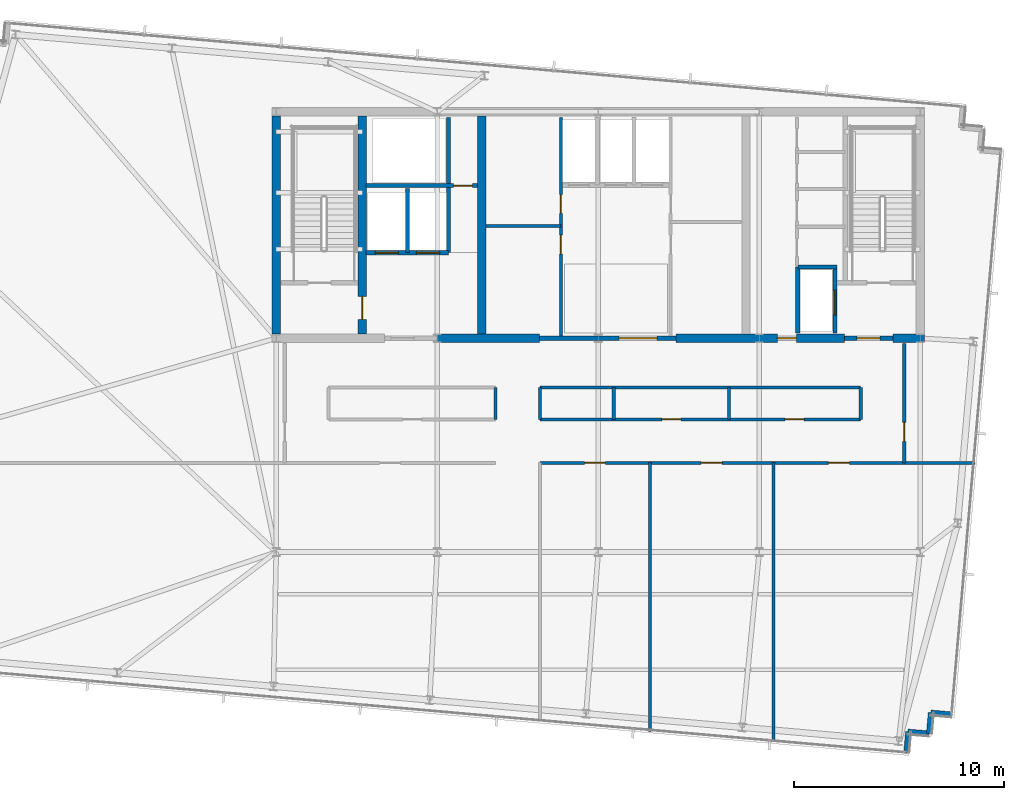
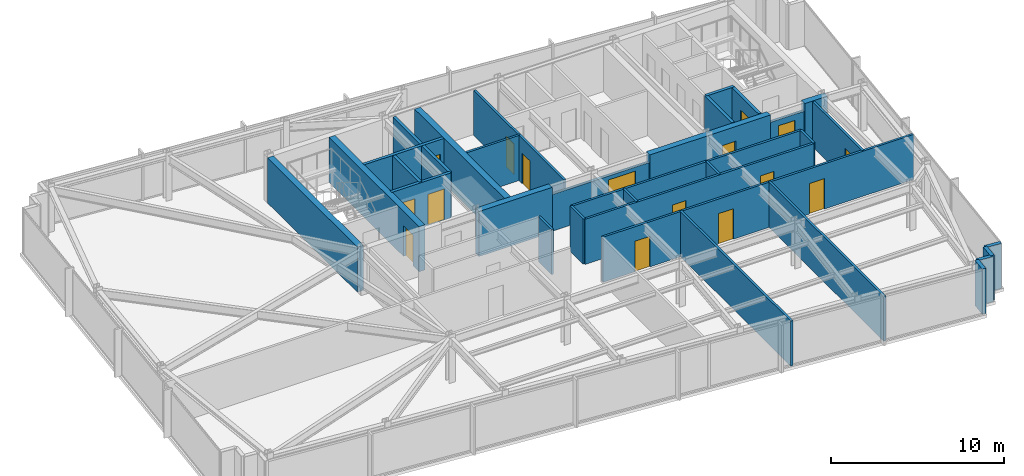
# One storey, part 27 of 32: 32 walls, 16 doors, 16 openings.
"""IFC4 building model written with IfcOpenShell, lengths in metres."""

import ifcopenshell
import ifcopenshell.guid

model = None  # the IFC model being written
_history = None  # IfcOwnerHistory: only IFC2X3 demands one
_inside = {}  # id of a spatial element -> (the spatial element, [elements in it])
_under = {}  # id of a project, library or spatial element -> (it, [spatial elements below it])
_declared = {}  # id of a project -> (the project, [libraries it declares])
_typed = {}  # id of a type object -> (the type object, [elements of that type])
_made_of = {}  # id of a material, layer set ... -> (it, [elements and type objects made of it])


def new_model(schema):
    """Start an empty IFC model of exactly this schema.

    Asked for "IFC4X3", IfcOpenShell would pick the latest addendum, in which some entities
    have other attributes; the version numbers below select the first issue.
    IFC2X3 requires an IfcOwnerHistory on every rooted entity: one is made here for all.
    """
    global model, _history
    if schema == "IFC4X3":
        model = ifcopenshell.file(schema_version=(4, 3, 0, 0))
    else:
        model = ifcopenshell.file(schema=schema)
    _inside.clear()
    _under.clear()
    _declared.clear()
    _typed.clear()
    _made_of.clear()
    _history = None
    if model.schema == "IFC2X3":
        org = make("IfcOrganization", Name="unknown")
        user = make(
            "IfcPersonAndOrganization",
            ThePerson=make("IfcPerson", FamilyName="unknown"),
            TheOrganization=org,
        )
        app = make(
            "IfcApplication",
            ApplicationDeveloper=org,
            Version="unknown",
            ApplicationFullName="unknown",
            ApplicationIdentifier="unknown",
        )
        _history = make(
            "IfcOwnerHistory",
            OwningUser=user,
            OwningApplication=app,
            ChangeAction="ADDED",
            CreationDate=0,
        )
    return model


def make(cls, **values):
    """One entity of the class cls with the attributes given. An attribute that is None is left unset."""
    return model.create_entity(
        cls, **{name: value for name, value in values.items() if value is not None}
    )


def rooted(cls, **values):
    """An entity with a GlobalId (a new one), such as an element, a storey or a relation."""
    return make(cls, GlobalId=ifcopenshell.guid.new(), OwnerHistory=_history, **values)


def si_unit(unit_type, name, prefix=None):
    """IfcSIUnit, for example si_unit("LENGTHUNIT", "METRE", prefix="MILLI")."""
    return make("IfcSIUnit", UnitType=unit_type, Prefix=prefix, Name=name)


def assignment(units):
    """IfcUnitAssignment: the units of a project."""
    return None if units is None else make("IfcUnitAssignment", Units=units)


def point(xyz):
    """IfcCartesianPoint."""
    return None if xyz is None else make("IfcCartesianPoint", Coordinates=xyz)


def direction(xyz):
    """IfcDirection."""
    return None if xyz is None else make("IfcDirection", DirectionRatios=xyz)


def frame(location, z_axis=None, x_axis=None):
    """IfcAxis2Placement3D, a coordinate frame: its origin and axes. An axis left out is left unset."""
    return make(
        "IfcAxis2Placement3D",
        Location=point(location),
        Axis=direction(z_axis),
        RefDirection=direction(x_axis),
    )


def frame_2d(location, x_axis=None):
    """IfcAxis2Placement2D, a coordinate frame in the plane: its origin and x axis."""
    return make(
        "IfcAxis2Placement2D", Location=point(location), RefDirection=direction(x_axis)
    )


def origin():
    """The frame at (0, 0, 0) with its axes left unset."""
    return frame((0.0, 0.0, 0.0))


def place(relative_to, where):
    """IfcLocalPlacement: puts the frame where relative to a parent placement (None: the world)."""
    return make(
        "IfcLocalPlacement", PlacementRelTo=relative_to, RelativePlacement=where
    )


def context(
    kind, dimensions, precision=None, world=None, true_north=None, identifier=None
):
    """IfcGeometricRepresentationContext, for example the 3D "Model" context."""
    return make(
        "IfcGeometricRepresentationContext",
        ContextIdentifier=identifier,
        ContextType=kind,
        CoordinateSpaceDimension=dimensions,
        Precision=precision,
        WorldCoordinateSystem=world,
        TrueNorth=true_north,
    )


def subcontext(parent, identifier, kind, view, scale=None):
    """IfcGeometricRepresentationSubContext, for example "Body" below "Model"."""
    return make(
        "IfcGeometricRepresentationSubContext",
        ContextIdentifier=identifier,
        ContextType=kind,
        ParentContext=parent,
        TargetScale=scale,
        TargetView=view,
    )


def project(units=None, contexts=None):
    """IfcProject with its units and contexts."""
    return rooted(
        "IfcProject",
        Name="project",
        RepresentationContexts=contexts,
        UnitsInContext=assignment(units),
    )


def spatial(cls, under=None, at=None, **own):
    """A site, building, storey or space (cls), placed at a placement, below another one or the project."""
    s = rooted(cls, ObjectPlacement=at, **own)
    if under is not None:
        _under.setdefault(under.id(), (under, []))[1].append(s)
    return s


def profile(cls, at=None, kind="AREA", **sizes):
    """A parametric profile (cls). Its sizes go by their IFC names, for example OverallWidth=200.0."""
    return make(cls, ProfileType=kind, Position=at, **sizes)


def rectangle(**sizes):
    """IfcRectangleProfileDef."""
    return profile("IfcRectangleProfileDef", **sizes)


def extrude(swept, where, along, depth):
    """IfcExtrudedAreaSolid: the profile swept, set in the frame where, extruded along a direction by depth."""
    return make(
        "IfcExtrudedAreaSolid",
        SweptArea=swept,
        Position=where,
        ExtrudedDirection=direction(along),
        Depth=depth,
    )


def shape(context_of_items, identifier, shape_type, items):
    """IfcShapeRepresentation: the items that make up one representation, for example the "Body"."""
    return make(
        "IfcShapeRepresentation",
        ContextOfItems=context_of_items,
        RepresentationIdentifier=identifier,
        RepresentationType=shape_type,
        Items=items,
    )


def material(Name=None, Category=None):
    """IfcMaterial."""
    return make("IfcMaterial", Name=Name, Category=Category)


def layer(
    of_material, thickness, ventilated=None, Name=None, Category=None, Priority=None
):
    """IfcMaterialLayer: one layer of a wall or slab, of a material (None: an air gap)."""
    return make(
        "IfcMaterialLayer",
        Material=of_material,
        LayerThickness=thickness,
        IsVentilated=ventilated,
        Name=Name,
        Category=Category,
        Priority=Priority,
    )


def layer_set(layers, Name=None):
    """IfcMaterialLayerSet."""
    return make("IfcMaterialLayerSet", MaterialLayers=layers, LayerSetName=Name)


def made_of(thing, what):
    """Note that an element or type object is made of a material, layer set ...; save() writes the relation."""
    if what is not None:
        _made_of.setdefault(what.id(), (what, []))[1].append(thing)
    return thing


def type_object(cls, material=None, **own):
    """A type object (cls), such as IfcWallType, which elements share."""
    return made_of(rooted(cls, **own), material)


def element(
    cls,
    number,
    at=None,
    inside=None,
    cuts=None,
    type_object=None,
    material=None,
    context=None,
    identifier="Body",
    shape_type=None,
    held_by="IfcProductDefinitionShape",
    body=None,
    shapes=None,
    **own,
):
    """One element of the class cls, such as IfcWall. Its Tag is "e" and its number.

    at: its placement. inside: the storey or other place that contains it. cuts: it is an
    opening in that element (IfcRelVoidsElement). A single representation is given by context,
    identifier, shape_type and body (its items); several are given by shapes. held_by: the class
    of the entity that holds the representations. save() writes the other relations.
    """
    e = rooted(cls, Tag="e%d" % number, ObjectPlacement=at, **own)
    if body is not None:
        shapes = [shape(context, identifier, shape_type, body)]
    if shapes is not None:
        e.Representation = make(held_by, Representations=shapes)
    if inside is not None:
        _inside.setdefault(inside.id(), (inside, []))[1].append(e)
    if cuts is not None:
        rooted(
            "IfcRelVoidsElement", RelatingBuildingElement=cuts, RelatedOpeningElement=e
        )
    if type_object is not None:
        _typed.setdefault(type_object.id(), (type_object, []))[1].append(e)
    return made_of(e, material)


def fill(opening, filler):
    """IfcRelFillsElement: the door or window that sits in an opening."""
    return rooted(
        "IfcRelFillsElement",
        RelatingOpeningElement=opening,
        RelatedBuildingElement=filler,
    )


def aggregate(whole, parts):
    """IfcRelAggregates: a whole, such as a stair, and the parts it consists of."""
    return rooted("IfcRelAggregates", RelatingObject=whole, RelatedObjects=parts)


def save(model, path):
    """Write the relations noted so far, then the file.

    IfcRelAggregates (storeys below a building ...), IfcRelContainedInSpatialStructure (elements
    in a storey), IfcRelDefinesByType, IfcRelAssociatesMaterial and IfcRelDeclares: one each for
    every whole, place, type object, material and project.
    """
    for whole, parts in _under.values():
        aggregate(whole, parts)
    for where, things in _inside.values():
        rooted(
            "IfcRelContainedInSpatialStructure",
            RelatedElements=things,
            RelatingStructure=where,
        )
    for kind, things in _typed.values():
        rooted("IfcRelDefinesByType", RelatedObjects=things, RelatingType=kind)
    for what, things in _made_of.values():
        rooted("IfcRelAssociatesMaterial", RelatedObjects=things, RelatingMaterial=what)
    for by, libraries in _declared.values():
        rooted("IfcRelDeclares", RelatingContext=by, RelatedDefinitions=libraries)
    model.write(path)


model = new_model("IFC4")

# Units and contexts
model_context = context("Model", 3, precision=1e-05, world=origin(), true_north=direction((0.0, 1.0)))
body_context = subcontext(model_context, "Body", "Model", "MODEL_VIEW")
ifc_project = project(units=[si_unit("LENGTHUNIT", "METRE"), si_unit("AREAUNIT", "SQUARE_METRE"), si_unit("VOLUMEUNIT", "CUBIC_METRE"), si_unit("PLANEANGLEUNIT", "RADIAN"), si_unit("MASSUNIT", "GRAM", prefix="KILO")], contexts=[model_context])

# Site, building, storey
site_placement = place(None, origin())
site = spatial("IfcSite", under=ifc_project, at=site_placement, CompositionType="ELEMENT")
building_placement = place(site_placement, origin())
building = spatial("IfcBuilding", under=site, at=building_placement, Name="Yelkora Congress Tower", CompositionType="ELEMENT")
storey_placement = place(building_placement, frame((0.0, 0.0, 293.10009765625)))
storey = spatial("IfcBuildingStorey", under=building, at=storey_placement, Name="L82", CompositionType="ELEMENT", Elevation=293.10009765625)

# Wall
ifc_material_1 = material(Name="Concrete C50/60", Category="concrete")
ifc_layer_1 = layer(ifc_material_1, 0.39990234375)
ifc_layer_set_1 = layer_set([ifc_layer_1], Name="Concrete C50/60")
wall_type_1 = type_object("IfcWallType", Name="WALL-CORE-INT-400", PredefinedType="SHEAR", material=ifc_layer_set_1)
wall_1_placement = place(storey_placement, frame((30.719970703125, 35.39990234375, 0.0), z_axis=(0.0, 0.0, 1.0), x_axis=(1.0, 0.0, 0.0)))
element("IfcWall", 1, at=wall_1_placement, inside=storey, type_object=wall_type_1, Name="L82 Rear Core South-Center Shear Pier", PredefinedType="SHEAR", context=body_context, shape_type="SweptSolid", body=[
    extrude(rectangle(XDim=4.880126953125, YDim=0.39990234375, at=frame_2d((2.43994140625, 0.0))), origin(), (0.0, 0.0, 1.0), 3.179931640625),
])

# Wall, opening, door
wall_2_placement = place(storey_placement, frame((42.10009765625, 35.39990234375, 0.0), z_axis=(0.0, 0.0, 1.0), x_axis=(1.0, 0.0, 0.0)))
wall_2 = element("IfcWall", 2, at=wall_2_placement, inside=storey, type_object=wall_type_1, Name="L82 Rear Core South-East Shear Wall A", PredefinedType="SHEAR", context=body_context, shape_type="SweptSolid", body=[
    extrude(rectangle(XDim=8.0498046875, YDim=0.39990234375, at=frame_2d((4.02490234375, 0.0))), origin(), (0.0, 0.0, 1.0), 3.179931640625),
])
opening_1_placement = place(wall_2_placement, frame((4.85009765625, 0.0, 0.0)))
opening_1 = element("IfcOpeningElement", 3, at=opening_1_placement, cuts=wall_2, Name="Opening DR-090F6", PredefinedType="OPENING", context=body_context, shape_type="SweptSolid", body=[
    extrude(rectangle(XDim=0.89990234375, YDim=2.14990234375, at=frame_2d((0.449951171875, 1.074951171875))), frame((0.0, 0.2099609375, 0.0), z_axis=(0.0, -1.0, 0.0), x_axis=(1.0, 0.0, 0.0)), (0.0, 0.0, 1.0), 0.419921875),
])
ifc_material_2 = material(Name="Painted steel riser fire door leaf", Category="steel")
door_type_1 = type_object("IfcDoorType", Name="DOOR-FD60-900", OperationType="NOTDEFINED", PredefinedType="DOOR", material=ifc_material_2)
door_1_placement = place(opening_1_placement, origin())
door_1 = element("IfcDoor", 4, at=door_1_placement, inside=storey, type_object=door_type_1, Name="L82 Core Washroom Lobby Door", OperationType="SINGLE_SWING_RIGHT", OverallHeight=2.14990234375, OverallWidth=0.89990234375, PredefinedType="DOOR", context=body_context, shape_type="SweptSolid", body=[
    extrude(rectangle(XDim=0.89990234375, YDim=2.14990234375, at=frame_2d((0.449951171875, 1.074951171875))), frame((0.0, 0.02490234375, 0.0), z_axis=(0.0, -1.0, 0.0), x_axis=(1.0, 0.0, 0.0)), (0.0, 0.0, 1.0), 0.050048828125),
])
fill(opening_1, door_1)

# Walls
wall_3_placement = place(storey_placement, frame((52.449951171875, 35.39990234375, 0.0), z_axis=(0.0, 0.0, 1.0), x_axis=(1.0, 0.0, 0.0)))
element("IfcWall", 5, at=wall_3_placement, inside=storey, type_object=wall_type_1, Name="L82 Rear Core South-East Shear Wall B", PredefinedType="SHEAR", context=body_context, shape_type="SweptSolid", body=[
    extrude(rectangle(XDim=1.510009765625, YDim=0.39990234375, at=frame_2d((0.7548828125, 0.0))), origin(), (0.0, 0.0, 1.0), 3.179931640625),
])
wall_4_placement = place(storey_placement, frame((23.0400390625, 35.60009765625, 0.0), z_axis=(0.0, 0.0, 1.0), x_axis=(0.0, 1.0, 0.0)))
element("IfcWall", 6, at=wall_4_placement, inside=storey, type_object=wall_type_1, Name="L82 Rear Core Cross Shear Wall W", PredefinedType="SHEAR", context=body_context, shape_type="SweptSolid", body=[
    extrude(rectangle(XDim=10.39990234375, YDim=0.39990234375, at=frame_2d((5.199951171875, 0.0))), origin(), (0.0, 0.0, 1.0), 3.179931640625),
])

# Wall, opening, door
wall_5_placement = place(storey_placement, frame((27.14990234375, 35.60009765625, 0.0), z_axis=(0.0, 0.0, 1.0), x_axis=(0.0, 1.0, 0.0)))
wall_5 = element("IfcWall", 7, at=wall_5_placement, inside=storey, type_object=wall_type_1, Name="L82 Rear Core Cross Shear Wall C1", PredefinedType="SHEAR", context=body_context, shape_type="SweptSolid", body=[
    extrude(rectangle(XDim=10.39990234375, YDim=0.39990234375, at=frame_2d((5.199951171875, 0.0))), origin(), (0.0, 0.0, 1.0), 3.179931640625),
])
opening_2_placement = place(wall_5_placement, frame((0.699951171875, 0.0, 0.0)))
opening_2 = element("IfcOpeningElement", 8, at=opening_2_placement, cuts=wall_5, Name="Opening DR-110F9", PredefinedType="OPENING", context=body_context, shape_type="SweptSolid", body=[
    extrude(rectangle(XDim=1.10009765625, YDim=2.14990234375, at=frame_2d((0.550048828125, 1.074951171875))), frame((0.0, 0.2099609375, 0.0), z_axis=(0.0, -1.0, 0.0), x_axis=(1.0, 0.0, 0.0)), (0.0, 0.0, 1.0), 0.419921875),
])
ifc_material_3 = material(Name="Galvanised steel fire door leaf", Category="steel")
door_type_2 = type_object("IfcDoorType", Name="DOOR-FD90-1100", OperationType="NOTDEFINED", PredefinedType="DOOR", material=ifc_material_3)
door_2_placement = place(opening_2_placement, origin())
door_2 = element("IfcDoor", 9, at=door_2_placement, inside=storey, type_object=door_type_2, Name="L82 Firefighting Stair Transfer Door", OperationType="SINGLE_SWING_LEFT", OverallHeight=2.14990234375, OverallWidth=1.10009765625, PredefinedType="DOOR", context=body_context, shape_type="SweptSolid", body=[
    extrude(rectangle(XDim=1.10009765625, YDim=2.14990234375, at=frame_2d((0.550048828125, 1.074951171875))), frame((0.0, 0.02490234375, 0.0), z_axis=(0.0, -1.0, 0.0), x_axis=(1.0, 0.0, 0.0)), (0.0, 0.0, 1.0), 0.050048828125),
])
fill(opening_2, door_2)

# Walls
wall_6_placement = place(storey_placement, frame((32.85009765625, 35.60009765625, 0.0), z_axis=(0.0, 0.0, 1.0), x_axis=(0.0, 1.0, 0.0)))
element("IfcWall", 10, at=wall_6_placement, inside=storey, type_object=wall_type_1, Name="L82 Rear Core Cross Shear Wall C2", PredefinedType="SHEAR", context=body_context, shape_type="SweptSolid", body=[
    extrude(rectangle(XDim=10.39990234375, YDim=0.39990234375, at=frame_2d((5.199951171875, 0.0))), origin(), (0.0, 0.0, 1.0), 3.179931640625),
])
ifc_material_4 = material(Name="Concrete C40/50", Category="concrete")
ifc_layer_2 = layer(ifc_material_4, 0.239990234375)
ifc_layer_set_2 = layer_set([ifc_layer_2], Name="Concrete C40/50")
wall_type_2 = type_object("IfcWallType", Name="WALL-EXT-LIMESTONE-240", PredefinedType="SOLIDWALL", material=ifc_layer_set_2)
for number, where, z_axis, x_axis, name in (
    (11, (55.2578125, 17.458740234375, 0.0), (0.0, 0.0, 1.0), (-0.996193717496, 0.087166950281, 0.0), "L82 Serrated Corner Limestone Pier 16"),
    (12, (54.26171875, 17.5458984375, 0.0), (0.0, 0.0, 1.0), (-0.087166950281, -0.996193717496, 0.0), "L82 Serrated Corner Limestone Pier 17"),
):
    element("IfcWall", number, at=place(storey_placement, frame(where, z_axis=z_axis, x_axis=x_axis)), inside=storey, type_object=wall_type_2, Name=name, PredefinedType="SOLIDWALL", context=body_context, shape_type="SweptSolid", body=[
        extrude(rectangle(XDim=1.0, YDim=0.239990234375, at=frame_2d((0.5, 0.0))), origin(), (0.0, 0.0, 1.0), 3.179931640625),
    ])
for number, where, z_axis, x_axis, name in (
    (13, (54.174560546875, 16.5498046875, 0.0), (0.0, 0.0, 1.0), (-0.996195572005, 0.087145753297, 0.0), "L82 Serrated Corner Limestone Pier 18"),
    (14, (53.17822265625, 16.636962890625, 0.0), (0.0, 0.0, 1.0), (-0.087145753297, -0.996195572005, 0.0), "L82 Serrated Corner Limestone Pier 19"),
):
    element("IfcWall", number, at=place(storey_placement, frame(where, z_axis=z_axis, x_axis=x_axis)), inside=storey, type_object=wall_type_2, Name=name, PredefinedType="SOLIDWALL", context=body_context, shape_type="SweptSolid", body=[
        extrude(rectangle(XDim=1.000244140625, YDim=0.239990234375, at=frame_2d((0.5, 0.0))), origin(), (0.0, 0.0, 1.0), 3.179931640625),
    ])
ifc_material_5 = material(Name="Acoustic metal-stud gypsum partition", Category="gypsum")
ifc_layer_3 = layer(ifc_material_5, 0.14990234375)
ifc_layer_set_3 = layer_set([ifc_layer_3], Name="Acoustic metal-stud gypsum partition")
wall_type_3 = type_object("IfcWallType", Name="WALL-INT-150-NR", PredefinedType="PARTITIONING", material=ifc_layer_set_3)
wall_7_placement = place(storey_placement, frame((40.862060546875, 16.650390625, 0.0), z_axis=(0.0, 0.0, 1.0), x_axis=(0.0, 1.0, 0.0)))
element("IfcWall", 15, at=wall_7_placement, inside=storey, type_object=wall_type_3, Name="L82 Partition Wall 25", PredefinedType="PARTITIONING", context=body_context, shape_type="SweptSolid", body=[
    extrude(rectangle(XDim=12.819580078125, YDim=0.14990234375, at=frame_2d((6.40966796875, 0.0))), origin(), (0.0, 0.0, 1.0), 3.179931640625),
])
wall_8_placement = place(storey_placement, frame((46.760986328125, 16.13427734375, 0.0), z_axis=(0.0, 0.0, 1.0), x_axis=(0.0, 1.0, 0.0)))
element("IfcWall", 16, at=wall_8_placement, inside=storey, type_object=wall_type_3, Name="L82 Partition Wall 26", PredefinedType="PARTITIONING", context=body_context, shape_type="SweptSolid", body=[
    extrude(rectangle(XDim=13.335693359375, YDim=0.14990234375, at=frame_2d((6.66796875, 0.0))), origin(), (0.0, 0.0, 1.0), 3.179931640625),
])

# Wall, openings, doors
wall_9_placement = place(storey_placement, frame((35.6201171875, 29.449951171875, 0.0), z_axis=(0.0, 0.0, 1.0), x_axis=(1.0, 0.0, 0.0)))
wall_9 = element("IfcWall", 17, at=wall_9_placement, inside=storey, type_object=wall_type_3, Name="L82 South Spine Wall East", PredefinedType="PARTITIONING", context=body_context, shape_type="SweptSolid", body=[
    extrude(rectangle(XDim=20.7470703125, YDim=0.14990234375, at=frame_2d((10.37353515625, 0.0))), origin(), (0.0, 0.0, 1.0), 3.179931640625),
])
opening_3_placement = place(wall_9_placement, frame((2.1259765625, 0.0, 0.0)))
opening_3 = element("IfcOpeningElement", 18, at=opening_3_placement, cuts=wall_9, Name="Opening DR-100N", PredefinedType="OPENING", context=body_context, shape_type="SweptSolid", body=[
    extrude(rectangle(XDim=1.0, YDim=2.14990234375, at=frame_2d((0.5, 1.074951171875))), frame((0.0, 0.0849609375, 0.0), z_axis=(0.0, -1.0, 0.0), x_axis=(1.0, 0.0, 0.0)), (0.0, 0.0, 1.0), 0.169921875),
])
opening_4_placement = place(wall_9_placement, frame((7.69140625, 0.0, 0.0)))
opening_4 = element("IfcOpeningElement", 19, at=opening_4_placement, cuts=wall_9, Name="Opening DR-100N", PredefinedType="OPENING", context=body_context, shape_type="SweptSolid", body=[
    extrude(rectangle(XDim=1.0, YDim=2.14990234375, at=frame_2d((0.5, 1.074951171875))), frame((0.0, 0.0849609375, 0.0), z_axis=(0.0, -1.0, 0.0), x_axis=(1.0, 0.0, 0.0)), (0.0, 0.0, 1.0), 0.169921875),
])
opening_5_placement = place(wall_9_placement, frame((13.760498046875, 0.0, 0.0)))
opening_5 = element("IfcOpeningElement", 20, at=opening_5_placement, cuts=wall_9, Name="Opening DR-100N", PredefinedType="OPENING", context=body_context, shape_type="SweptSolid", body=[
    extrude(rectangle(XDim=1.0, YDim=2.14990234375, at=frame_2d((0.5, 1.074951171875))), frame((0.0, 0.0849609375, 0.0), z_axis=(0.0, -1.0, 0.0), x_axis=(1.0, 0.0, 0.0)), (0.0, 0.0, 1.0), 0.169921875),
])
ifc_material_6 = material(Name="Solid-core Anatolian oak veneer door", Category="wood")
door_type_3 = type_object("IfcDoorType", Name="DOOR-INT-1000", OperationType="NOTDEFINED", PredefinedType="DOOR", material=ifc_material_6)
door_3_placement = place(opening_3_placement, origin())
door_3 = element("IfcDoor", 21, at=door_3_placement, inside=storey, type_object=door_type_3, Name="L82 Diplomatic Banquet Room Door", OperationType="SINGLE_SWING_RIGHT", OverallHeight=2.14990234375, OverallWidth=1.0, PredefinedType="DOOR", context=body_context, shape_type="SweptSolid", body=[
    extrude(rectangle(XDim=1.0, YDim=2.14990234375, at=frame_2d((0.5, 1.074951171875))), frame((0.0, 0.02490234375, 0.0), z_axis=(0.0, -1.0, 0.0), x_axis=(1.0, 0.0, 0.0)), (0.0, 0.0, 1.0), 0.050048828125),
])
fill(opening_3, door_3)
door_4_placement = place(opening_4_placement, origin())
door_4 = element("IfcDoor", 22, at=door_4_placement, inside=storey, type_object=door_type_3, Name="L82 Summit Press Studio Door", OperationType="SINGLE_SWING_LEFT", OverallHeight=2.14990234375, OverallWidth=1.0, PredefinedType="DOOR", context=body_context, shape_type="SweptSolid", body=[
    extrude(rectangle(XDim=1.0, YDim=2.14990234375, at=frame_2d((0.5, 1.074951171875))), frame((0.0, 0.02490234375, 0.0), z_axis=(0.0, -1.0, 0.0), x_axis=(1.0, 0.0, 0.0)), (0.0, 0.0, 1.0), 0.050048828125),
])
fill(opening_4, door_4)
door_5_placement = place(opening_5_placement, origin())
door_5 = element("IfcDoor", 23, at=door_5_placement, inside=storey, type_object=door_type_3, Name="L82 Finishing Kitchen Door", OperationType="SINGLE_SWING_RIGHT", OverallHeight=2.14990234375, OverallWidth=1.0, PredefinedType="DOOR", context=body_context, shape_type="SweptSolid", body=[
    extrude(rectangle(XDim=1.0, YDim=2.14990234375, at=frame_2d((0.5, 1.074951171875))), frame((0.0, 0.02490234375, 0.0), z_axis=(0.0, -1.0, 0.0), x_axis=(1.0, 0.0, 0.0)), (0.0, 0.0, 1.0), 0.050048828125),
])
fill(opening_5, door_5)

# Wall, opening, door
wall_10_placement = place(storey_placement, frame((53.0, 29.449951171875, 0.0), z_axis=(0.0, 0.0, 1.0), x_axis=(0.0, 1.0, 0.0)))
wall_10 = element("IfcWall", 24, at=wall_10_placement, inside=storey, type_object=wall_type_3, Name="L82 Partition Wall 30", PredefinedType="PARTITIONING", context=body_context, shape_type="SweptSolid", body=[
    extrude(rectangle(XDim=5.68994140625, YDim=0.14990234375, at=frame_2d((2.844970703125, 0.0))), origin(), (0.0, 0.0, 1.0), 3.179931640625),
])
opening_6_placement = place(wall_10_placement, frame((1.030029296875, 0.0, 0.0)))
opening_6 = element("IfcOpeningElement", 25, at=opening_6_placement, cuts=wall_10, Name="Opening DR-090N", PredefinedType="OPENING", context=body_context, shape_type="SweptSolid", body=[
    extrude(rectangle(XDim=0.89990234375, YDim=2.14990234375, at=frame_2d((0.449951171875, 1.074951171875))), frame((0.0, 0.0849609375, 0.0), z_axis=(0.0, -1.0, 0.0), x_axis=(1.0, 0.0, 0.0)), (0.0, 0.0, 1.0), 0.169921875),
])
ifc_material_7 = material(Name="Moisture-resistant laminate door leaf", Category="wood")
door_type_4 = type_object("IfcDoorType", Name="DOOR-INT-900", OperationType="NOTDEFINED", PredefinedType="DOOR", material=ifc_material_7)
door_6_placement = place(opening_6_placement, origin())
door_6 = element("IfcDoor", 26, at=door_6_placement, inside=storey, type_object=door_type_4, Name="L82 E Wing Door", OperationType="SINGLE_SWING_RIGHT", OverallHeight=2.14990234375, OverallWidth=0.89990234375, PredefinedType="DOOR", context=body_context, shape_type="SweptSolid", body=[
    extrude(rectangle(XDim=0.89990234375, YDim=2.14990234375, at=frame_2d((0.449951171875, 1.074951171875))), frame((0.0, 0.02490234375, 0.0), z_axis=(0.0, -1.0, 0.0), x_axis=(1.0, 0.0, 0.0)), (0.0, 0.0, 1.0), 0.050048828125),
])
fill(opening_6, door_6)

# Walls
for number, where, z_axis, x_axis, name in (
    (27, (50.919921875, 31.530029296875, 0.0), (0.0, 0.0, 1.0), (0.0, 1.0, 0.0), "L82 Partition Wall 32"),
    (28, (33.5, 31.530029296875, 0.0), (0.0, 0.0, 1.0), (0.0, 1.0, 0.0), "L82 Partition Wall 33"),
    (29, (35.6201171875, 31.530029296875, 0.0), (0.0, 0.0, 1.0), (0.0, 1.0, 0.0), "L82 Partition Wall 34"),
):
    element("IfcWall", number, at=place(storey_placement, frame(where, z_axis=z_axis, x_axis=x_axis)), inside=storey, type_object=wall_type_3, Name=name, PredefinedType="PARTITIONING", context=body_context, shape_type="SweptSolid", body=[
        extrude(rectangle(XDim=1.52001953125, YDim=0.14990234375, at=frame_2d((0.760009765625, 0.0))), origin(), (0.0, 0.0, 1.0), 3.179931640625),
    ])
wall_11_placement = place(storey_placement, frame((35.6201171875, 33.050048828125, 0.0), z_axis=(0.0, 0.0, 1.0), x_axis=(1.0, 0.0, 0.0)))
element("IfcWall", 30, at=wall_11_placement, inside=storey, type_object=wall_type_3, Name="L82 Partition Wall 36", PredefinedType="PARTITIONING", context=body_context, shape_type="SweptSolid", body=[
    extrude(rectangle(XDim=15.2998046875, YDim=0.14990234375, at=frame_2d((7.64990234375, 0.0))), origin(), (0.0, 0.0, 1.0), 3.179931640625),
])
for number, where, z_axis, x_axis, name in (
    (31, (39.14208984375, 31.530029296875, 0.0), (0.0, 0.0, 1.0), (0.0, 1.0, 0.0), "L82 Partition Wall 38"),
    (32, (44.638916015625, 31.530029296875, 0.0), (0.0, 0.0, 1.0), (0.0, 1.0, 0.0), "L82 Partition Wall 39"),
):
    element("IfcWall", number, at=place(storey_placement, frame(where, z_axis=z_axis, x_axis=x_axis)), inside=storey, type_object=wall_type_3, Name=name, PredefinedType="PARTITIONING", context=body_context, shape_type="SweptSolid", body=[
        extrude(rectangle(XDim=1.52001953125, YDim=0.14990234375, at=frame_2d((0.760009765625, 0.0))), origin(), (0.0, 0.0, 1.0), 3.179931640625),
    ])

# Wall, openings, doors
wall_12_placement = place(storey_placement, frame((35.6298828125, 31.530029296875, 0.0), z_axis=(0.0, 0.0, 1.0), x_axis=(1.0, 0.0, 0.0)))
wall_12 = element("IfcWall", 33, at=wall_12_placement, inside=storey, type_object=wall_type_3, Name="L82 Partition Wall 40", PredefinedType="PARTITIONING", context=body_context, shape_type="SweptSolid", body=[
    extrude(rectangle(XDim=15.27001953125, YDim=0.14990234375, at=frame_2d((7.635009765625, 0.0))), origin(), (0.0, 0.0, 1.0), 3.179931640625),
])
opening_7_placement = place(wall_12_placement, frame((5.810546875, 0.0, 0.0)))
opening_7 = element("IfcOpeningElement", 34, at=opening_7_placement, cuts=wall_12, Name="Opening DR-090N", PredefinedType="OPENING", context=body_context, shape_type="SweptSolid", body=[
    extrude(rectangle(XDim=0.89990234375, YDim=2.14990234375, at=frame_2d((0.449951171875, 1.074951171875))), frame((0.0, 0.0849609375, 0.0), z_axis=(0.0, -1.0, 0.0), x_axis=(1.0, 0.0, 0.0)), (0.0, 0.0, 1.0), 0.169921875),
])
opening_8_placement = place(wall_12_placement, frame((11.689453125, 0.0, 0.0)))
opening_8 = element("IfcOpeningElement", 35, at=opening_8_placement, cuts=wall_12, Name="Opening DR-090N", PredefinedType="OPENING", context=body_context, shape_type="SweptSolid", body=[
    extrude(rectangle(XDim=0.89990234375, YDim=2.14990234375, at=frame_2d((0.449951171875, 1.074951171875))), frame((0.0, 0.0849609375, 0.0), z_axis=(0.0, -1.0, 0.0), x_axis=(1.0, 0.0, 0.0)), (0.0, 0.0, 1.0), 0.169921875),
])
door_7_placement = place(opening_7_placement, origin())
door_7 = element("IfcDoor", 36, at=door_7_placement, inside=storey, type_object=door_type_4, Name="L82 Staff Operations Room Door", OperationType="SINGLE_SWING_RIGHT", OverallHeight=2.14990234375, OverallWidth=0.89990234375, PredefinedType="DOOR", context=body_context, shape_type="SweptSolid", body=[
    extrude(rectangle(XDim=0.89990234375, YDim=2.14990234375, at=frame_2d((0.449951171875, 1.074951171875))), frame((0.0, 0.02490234375, 0.0), z_axis=(0.0, -1.0, 0.0), x_axis=(1.0, 0.0, 0.0)), (0.0, 0.0, 1.0), 0.050048828125),
])
fill(opening_7, door_7)
door_8_placement = place(opening_8_placement, origin())
door_8 = element("IfcDoor", 37, at=door_8_placement, inside=storey, type_object=door_type_4, Name="L82 Security Control Room Door", OperationType="SINGLE_SWING_LEFT", OverallHeight=2.14990234375, OverallWidth=0.89990234375, PredefinedType="DOOR", context=body_context, shape_type="SweptSolid", body=[
    extrude(rectangle(XDim=0.89990234375, YDim=2.14990234375, at=frame_2d((0.449951171875, 1.074951171875))), frame((0.0, 0.02490234375, 0.0), z_axis=(0.0, -1.0, 0.0), x_axis=(1.0, 0.0, 0.0)), (0.0, 0.0, 1.0), 0.050048828125),
])
fill(opening_8, door_8)

# Wall
ifc_material_8 = material(Name="Twin-stud fire-rated gypsum partition", Category="gypsum")
ifc_layer_4 = layer(ifc_material_8, 0.14990234375)
ifc_layer_set_4 = layer_set([ifc_layer_4], Name="Twin-stud fire-rated gypsum partition")
wall_type_4 = type_object("IfcWallType", Name="WALL-INT-150-R60", PredefinedType="PARTITIONING", material=ifc_layer_set_4)
wall_13_placement = place(storey_placement, frame((33.050048828125, 40.75, 0.0), z_axis=(0.0, 0.0, 1.0), x_axis=(1.0, 0.0, 0.0)))
element("IfcWall", 38, at=wall_13_placement, inside=storey, type_object=wall_type_4, Name="L82 Partition Wall 11", PredefinedType="PARTITIONING", context=body_context, shape_type="SweptSolid", body=[
    extrude(rectangle(XDim=3.570068359375, YDim=0.14990234375, at=frame_2d((1.78515625, 0.0))), origin(), (0.0, 0.0, 1.0), 3.179931640625),
])

# Wall, openings, doors
wall_14_placement = place(storey_placement, frame((36.6201171875, 35.5, 0.0), z_axis=(0.0, 0.0, 1.0), x_axis=(0.0, 1.0, 0.0)))
wall_14 = element("IfcWall", 39, at=wall_14_placement, inside=storey, type_object=wall_type_4, Name="L82 Partition Wall 12", PredefinedType="PARTITIONING", context=body_context, shape_type="SweptSolid", body=[
    extrude(rectangle(XDim=10.419921875, YDim=0.14990234375, at=frame_2d((5.2099609375, 0.0))), origin(), (0.0, 0.0, 1.0), 3.179931640625),
])
opening_9_placement = place(wall_14_placement, frame((3.919921875, 0.0, 0.0)))
opening_9 = element("IfcOpeningElement", 40, at=opening_9_placement, cuts=wall_14, Name="Opening DR-090F6", PredefinedType="OPENING", context=body_context, shape_type="SweptSolid", body=[
    extrude(rectangle(XDim=0.89990234375, YDim=2.14990234375, at=frame_2d((0.449951171875, 1.074951171875))), frame((0.0, 0.0849609375, 0.0), z_axis=(0.0, -1.0, 0.0), x_axis=(1.0, 0.0, 0.0)), (0.0, 0.0, 1.0), 0.169921875),
])
opening_10_placement = place(wall_14_placement, frame((5.85009765625, 0.0, 0.0)))
opening_10 = element("IfcOpeningElement", 41, at=opening_10_placement, cuts=wall_14, Name="Opening DR-090F6", PredefinedType="OPENING", context=body_context, shape_type="SweptSolid", body=[
    extrude(rectangle(XDim=0.89990234375, YDim=2.14990234375, at=frame_2d((0.449951171875, 1.074951171875))), frame((0.0, 0.0849609375, 0.0), z_axis=(0.0, -1.0, 0.0), x_axis=(1.0, 0.0, 0.0)), (0.0, 0.0, 1.0), 0.169921875),
])
door_9_placement = place(opening_9_placement, origin())
door_9 = element("IfcDoor", 42, at=door_9_placement, inside=storey, type_object=door_type_1, Name="L82 Telecom Store Door", OperationType="SINGLE_SWING_RIGHT", OverallHeight=2.14990234375, OverallWidth=0.89990234375, PredefinedType="DOOR", context=body_context, shape_type="SweptSolid", body=[
    extrude(rectangle(XDim=0.89990234375, YDim=2.14990234375, at=frame_2d((0.449951171875, 1.074951171875))), frame((0.0, 0.02490234375, 0.0), z_axis=(0.0, -1.0, 0.0), x_axis=(1.0, 0.0, 0.0)), (0.0, 0.0, 1.0), 0.050048828125),
])
fill(opening_9, door_9)
door_10_placement = place(opening_10_placement, origin())
door_10 = element("IfcDoor", 43, at=door_10_placement, inside=storey, type_object=door_type_1, Name="L82 Archive Store Door", OperationType="SINGLE_SWING_LEFT", OverallHeight=2.14990234375, OverallWidth=0.89990234375, PredefinedType="DOOR", context=body_context, shape_type="SweptSolid", body=[
    extrude(rectangle(XDim=0.89990234375, YDim=2.14990234375, at=frame_2d((0.449951171875, 1.074951171875))), frame((0.0, 0.02490234375, 0.0), z_axis=(0.0, -1.0, 0.0), x_axis=(1.0, 0.0, 0.0)), (0.0, 0.0, 1.0), 0.050048828125),
])
fill(opening_10, door_10)

ifc_material_9 = material(Name="Autoclaved aerated concrete blockwork", Category="masonry")
ifc_layer_5 = layer(ifc_material_9, 0.199951171875)
ifc_layer_set_5 = layer_set([ifc_layer_5], Name="Autoclaved aerated concrete blockwork")
wall_type_5 = type_object("IfcWallType", Name="WALL-INT-200-R120", PredefinedType="PARTITIONING", material=ifc_layer_set_5)
wall_15_placement = place(storey_placement, frame((27.320068359375, 39.47998046875, 0.0), z_axis=(0.0, 0.0, 1.0), x_axis=(1.0, 0.0, 0.0)))
wall_15 = element("IfcWall", 44, at=wall_15_placement, inside=storey, type_object=wall_type_5, Name="L82 Firefighting Lift Front Wall", PredefinedType="PARTITIONING", context=body_context, shape_type="SweptSolid", body=[
    extrude(rectangle(XDim=3.93994140625, YDim=0.199951171875, at=frame_2d((1.969970703125, 0.0))), origin(), (0.0, 0.0, 1.0), 3.179931640625),
])
opening_11_placement = place(wall_15_placement, frame((0.449951171875, 0.0, 0.0)))
opening_11 = element("IfcOpeningElement", 45, at=opening_11_placement, cuts=wall_15, Name="Opening LD-FF11", PredefinedType="OPENING", context=body_context, shape_type="SweptSolid", body=[
    extrude(rectangle(XDim=1.10009765625, YDim=2.199951171875, at=frame_2d((0.550048828125, 1.10009765625))), frame((0.0, 0.10986328125, 0.0), z_axis=(0.0, -1.0, 0.0), x_axis=(1.0, 0.0, 0.0)), (0.0, 0.0, 1.0), 0.219970703125),
])
opening_12_placement = place(wall_15_placement, frame((2.409912109375, 0.0, 0.0)))
opening_12 = element("IfcOpeningElement", 46, at=opening_12_placement, cuts=wall_15, Name="Opening LD-FF11", PredefinedType="OPENING", context=body_context, shape_type="SweptSolid", body=[
    extrude(rectangle(XDim=1.10009765625, YDim=2.199951171875, at=frame_2d((0.550048828125, 1.10009765625))), frame((0.0, 0.10986328125, 0.0), z_axis=(0.0, -1.0, 0.0), x_axis=(1.0, 0.0, 0.0)), (0.0, 0.0, 1.0), 0.219970703125),
])
ifc_material_10 = material(Name="Brushed stainless steel 316L landing door", Category="steel")
door_type_5 = type_object("IfcDoorType", Name="DOOR-LIFT-FF-1100", OperationType="DOUBLE_DOOR_SLIDING", PredefinedType="DOOR", material=ifc_material_10)
door_11_placement = place(opening_11_placement, origin())
door_11 = element("IfcDoor", 47, at=door_11_placement, inside=storey, type_object=door_type_5, Name="Lift Landing Door LF-FF1 L82", OperationType="DOUBLE_DOOR_SLIDING", OverallHeight=2.199951171875, OverallWidth=1.10009765625, PredefinedType="DOOR", context=body_context, shape_type="SweptSolid", body=[
    extrude(rectangle(XDim=1.10009765625, YDim=2.199951171875, at=frame_2d((0.550048828125, 1.10009765625))), frame((0.0, 0.02490234375, 0.0), z_axis=(0.0, -1.0, 0.0), x_axis=(1.0, 0.0, 0.0)), (0.0, 0.0, 1.0), 0.050048828125),
])
fill(opening_11, door_11)
door_12_placement = place(opening_12_placement, origin())
door_12 = element("IfcDoor", 48, at=door_12_placement, inside=storey, type_object=door_type_5, Name="Lift Landing Door LF-FF2 L82", OperationType="DOUBLE_DOOR_SLIDING", OverallHeight=2.199951171875, OverallWidth=1.10009765625, PredefinedType="DOOR", context=body_context, shape_type="SweptSolid", body=[
    extrude(rectangle(XDim=1.10009765625, YDim=2.199951171875, at=frame_2d((0.550048828125, 1.10009765625))), frame((0.0, 0.02490234375, 0.0), z_axis=(0.0, -1.0, 0.0), x_axis=(1.0, 0.0, 0.0)), (0.0, 0.0, 1.0), 0.050048828125),
])
fill(opening_12, door_12)

# Walls
wall_16_placement = place(storey_placement, frame((29.300048828125, 39.47998046875, 0.0), z_axis=(0.0, 0.0, 1.0), x_axis=(0.0, 1.0, 0.0)))
element("IfcWall", 49, at=wall_16_placement, inside=storey, type_object=wall_type_5, Name="L82 Partition Wall 4", PredefinedType="PARTITIONING", context=body_context, shape_type="SweptSolid", body=[
    extrude(rectangle(XDim=3.070068359375, YDim=0.199951171875, at=frame_2d((1.53515625, 0.0))), origin(), (0.0, 0.0, 1.0), 3.179931640625),
])
wall_17_placement = place(storey_placement, frame((31.260009765625, 39.47998046875, 0.0), z_axis=(0.0, 0.0, 1.0), x_axis=(0.0, 1.0, 0.0)))
element("IfcWall", 50, at=wall_17_placement, inside=storey, type_object=wall_type_5, Name="L82 Partition Wall 5", PredefinedType="PARTITIONING", context=body_context, shape_type="SweptSolid", body=[
    extrude(rectangle(XDim=6.43994140625, YDim=0.199951171875, at=frame_2d((3.219970703125, 0.0))), origin(), (0.0, 0.0, 1.0), 3.179931640625),
])

# Wall, opening, door
wall_18_placement = place(storey_placement, frame((27.320068359375, 42.679931640625, 0.0), z_axis=(0.0, 0.0, 1.0), x_axis=(1.0, 0.0, 0.0)))
wall_18 = element("IfcWall", 51, at=wall_18_placement, inside=storey, type_object=wall_type_5, Name="L82 Smoke Riser South Wall", PredefinedType="PARTITIONING", context=body_context, shape_type="SweptSolid", body=[
    extrude(rectangle(XDim=5.329833984375, YDim=0.199951171875, at=frame_2d((2.6650390625, 0.0))), origin(), (0.0, 0.0, 1.0), 3.179931640625),
])
opening_13_placement = place(wall_18_placement, frame((4.179931640625, 0.0, 0.0)))
opening_13 = element("IfcOpeningElement", 52, at=opening_13_placement, cuts=wall_18, Name="Opening DR-090F6", PredefinedType="OPENING", context=body_context, shape_type="SweptSolid", body=[
    extrude(rectangle(XDim=0.89990234375, YDim=2.14990234375, at=frame_2d((0.449951171875, 1.074951171875))), frame((0.0, 0.10986328125, 0.0), z_axis=(0.0, -1.0, 0.0), x_axis=(1.0, 0.0, 0.0)), (0.0, 0.0, 1.0), 0.219970703125),
])
door_13_placement = place(opening_13_placement, origin())
door_13 = element("IfcDoor", 53, at=door_13_placement, inside=storey, type_object=door_type_1, Name="L82 Riser Access Door", OperationType="SINGLE_SWING_LEFT", OverallHeight=2.14990234375, OverallWidth=0.89990234375, PredefinedType="DOOR", context=body_context, shape_type="SweptSolid", body=[
    extrude(rectangle(XDim=0.89990234375, YDim=2.14990234375, at=frame_2d((0.449951171875, 1.074951171875))), frame((0.0, 0.02490234375, 0.0), z_axis=(0.0, -1.0, 0.0), x_axis=(1.0, 0.0, 0.0)), (0.0, 0.0, 1.0), 0.050048828125),
])
fill(opening_13, door_13)

wall_19_placement = place(storey_placement, frame((35.60009765625, 35.39990234375, 0.0), z_axis=(0.0, 0.0, 1.0), x_axis=(1.0, 0.0, 0.0)))
wall_19 = element("IfcWall", 54, at=wall_19_placement, inside=storey, type_object=wall_type_5, Name="L82 Main Lift Lobby South Portal Wall", PredefinedType="PARTITIONING", context=body_context, shape_type="SweptSolid", body=[
    extrude(rectangle(XDim=6.5, YDim=0.199951171875, at=frame_2d((3.25, 0.0))), origin(), (0.0, 0.0, 1.0), 2.574951171875),
])
opening_14_placement = place(wall_19_placement, frame((3.800048828125, 0.0, 0.0)))
opening_14 = element("IfcOpeningElement", 55, at=opening_14_placement, cuts=wall_19, Name="Opening DR-180D", PredefinedType="OPENING", context=body_context, shape_type="SweptSolid", body=[
    extrude(rectangle(XDim=1.800048828125, YDim=2.300048828125, at=frame_2d((0.89990234375, 1.14990234375))), frame((0.0, 0.10986328125, 0.0), z_axis=(0.0, -1.0, 0.0), x_axis=(1.0, 0.0, 0.0)), (0.0, 0.0, 1.0), 0.219970703125),
])
ifc_material_11 = material(Name="Acoustic double congress hall doors", Category="wood")
door_type_6 = type_object("IfcDoorType", Name="DOOR-DBL-1800", OperationType="DOUBLE_DOOR_SINGLE_SWING", PredefinedType="DOOR", material=ifc_material_11)
door_14_placement = place(opening_14_placement, origin())
door_14 = element("IfcDoor", 56, at=door_14_placement, inside=storey, type_object=door_type_6, Name="L82 Main Lift Lobby Portal Door", OperationType="DOUBLE_DOOR_SINGLE_SWING", OverallHeight=2.300048828125, OverallWidth=1.800048828125, PredefinedType="DOOR", context=body_context, shape_type="SweptSolid", body=[
    extrude(rectangle(XDim=1.800048828125, YDim=2.300048828125, at=frame_2d((0.89990234375, 1.14990234375))), frame((0.0, 0.02490234375, 0.0), z_axis=(0.0, -1.0, 0.0), x_axis=(1.0, 0.0, 0.0)), (0.0, 0.0, 1.0), 0.050048828125),
])
fill(opening_14, door_14)

wall_20_placement = place(storey_placement, frame((50.14990234375, 35.39990234375, 0.0), z_axis=(0.0, 0.0, 1.0), x_axis=(1.0, 0.0, 0.0)))
wall_20 = element("IfcWall", 57, at=wall_20_placement, inside=storey, type_object=wall_type_5, Name="L82 Partition Wall 16", PredefinedType="PARTITIONING", context=body_context, shape_type="SweptSolid", body=[
    extrude(rectangle(XDim=2.300048828125, YDim=0.199951171875, at=frame_2d((1.14990234375, 0.0))), origin(), (0.0, 0.0, 1.0), 2.574951171875),
])
opening_15_placement = place(wall_20_placement, frame((0.60009765625, 0.0, 0.0)))
opening_15 = element("IfcOpeningElement", 58, at=opening_15_placement, cuts=wall_20, Name="Opening DR-110F9", PredefinedType="OPENING", context=body_context, shape_type="SweptSolid", body=[
    extrude(rectangle(XDim=1.10009765625, YDim=2.14990234375, at=frame_2d((0.550048828125, 1.074951171875))), frame((0.0, 0.10986328125, 0.0), z_axis=(0.0, -1.0, 0.0), x_axis=(1.0, 0.0, 0.0)), (0.0, 0.0, 1.0), 0.219970703125),
])
door_15_placement = place(opening_15_placement, origin())
door_15 = element("IfcDoor", 59, at=door_15_placement, inside=storey, type_object=door_type_2, Name="L82 East Stair Lobby Door", OperationType="SINGLE_SWING_LEFT", OverallHeight=2.14990234375, OverallWidth=1.10009765625, PredefinedType="DOOR", context=body_context, shape_type="SweptSolid", body=[
    extrude(rectangle(XDim=1.10009765625, YDim=2.14990234375, at=frame_2d((0.550048828125, 1.074951171875))), frame((0.0, 0.02490234375, 0.0), z_axis=(0.0, -1.0, 0.0), x_axis=(1.0, 0.0, 0.0)), (0.0, 0.0, 1.0), 0.050048828125),
])
fill(opening_15, door_15)

wall_21_placement = place(storey_placement, frame((49.699951171875, 35.64990234375, 0.0), z_axis=(0.0, 0.0, 1.0), x_axis=(0.0, 1.0, 0.0)))
wall_21 = element("IfcWall", 60, at=wall_21_placement, inside=storey, type_object=wall_type_5, Name="L82 Partition Wall 17", PredefinedType="PARTITIONING", context=body_context, shape_type="SweptSolid", body=[
    extrude(rectangle(XDim=3.150146484375, YDim=0.199951171875, at=frame_2d((1.5751953125, 0.0))), origin(), (0.0, 0.0, 1.0), 3.179931640625),
])
opening_16_placement = place(wall_21_placement, frame((0.85009765625, 0.0, 0.0)))
opening_16 = element("IfcOpeningElement", 61, at=opening_16_placement, cuts=wall_21, Name="Opening LD-SV12", PredefinedType="OPENING", context=body_context, shape_type="SweptSolid", body=[
    extrude(rectangle(XDim=1.199951171875, YDim=2.199951171875, at=frame_2d((0.60009765625, 1.10009765625))), frame((0.0, 0.10986328125, 0.0), z_axis=(0.0, -1.0, 0.0), x_axis=(1.0, 0.0, 0.0)), (0.0, 0.0, 1.0), 0.219970703125),
])
ifc_material_12 = material(Name="Heavy-duty stainless steel landing door", Category="steel")
door_type_7 = type_object("IfcDoorType", Name="DOOR-LIFT-SRV-1200", OperationType="DOUBLE_DOOR_SLIDING", PredefinedType="DOOR", material=ifc_material_12)
door_16_placement = place(opening_16_placement, origin())
door_16 = element("IfcDoor", 62, at=door_16_placement, inside=storey, type_object=door_type_7, Name="Service Lift Landing Door LF-SV1 L82", OperationType="DOUBLE_DOOR_SLIDING", OverallHeight=2.199951171875, OverallWidth=1.199951171875, PredefinedType="DOOR", context=body_context, shape_type="SweptSolid", body=[
    extrude(rectangle(XDim=1.199951171875, YDim=2.199951171875, at=frame_2d((0.60009765625, 1.10009765625))), frame((0.0, 0.02490234375, 0.0), z_axis=(0.0, -1.0, 0.0), x_axis=(1.0, 0.0, 0.0)), (0.0, 0.0, 1.0), 0.050048828125),
])
fill(opening_16, door_16)

# Walls
wall_22_placement = place(storey_placement, frame((47.919921875, 35.64990234375, 0.0), z_axis=(0.0, 0.0, 1.0), x_axis=(0.0, 1.0, 0.0)))
element("IfcWall", 63, at=wall_22_placement, inside=storey, type_object=wall_type_5, Name="L82 Partition Wall 18", PredefinedType="PARTITIONING", context=body_context, shape_type="SweptSolid", body=[
    extrude(rectangle(XDim=3.150146484375, YDim=0.199951171875, at=frame_2d((1.5751953125, 0.0))), origin(), (0.0, 0.0, 1.0), 3.179931640625),
])
wall_23_placement = place(storey_placement, frame((47.919921875, 38.800048828125, 0.0), z_axis=(0.0, 0.0, 1.0), x_axis=(1.0, 0.0, 0.0)))
element("IfcWall", 64, at=wall_23_placement, inside=storey, type_object=wall_type_5, Name="L82 Partition Wall 19", PredefinedType="PARTITIONING", context=body_context, shape_type="SweptSolid", body=[
    extrude(rectangle(XDim=1.860107421875, YDim=0.199951171875, at=frame_2d((0.93017578125, 0.0))), origin(), (0.0, 0.0, 1.0), 3.179931640625),
])

save(model, "model.ifc")
